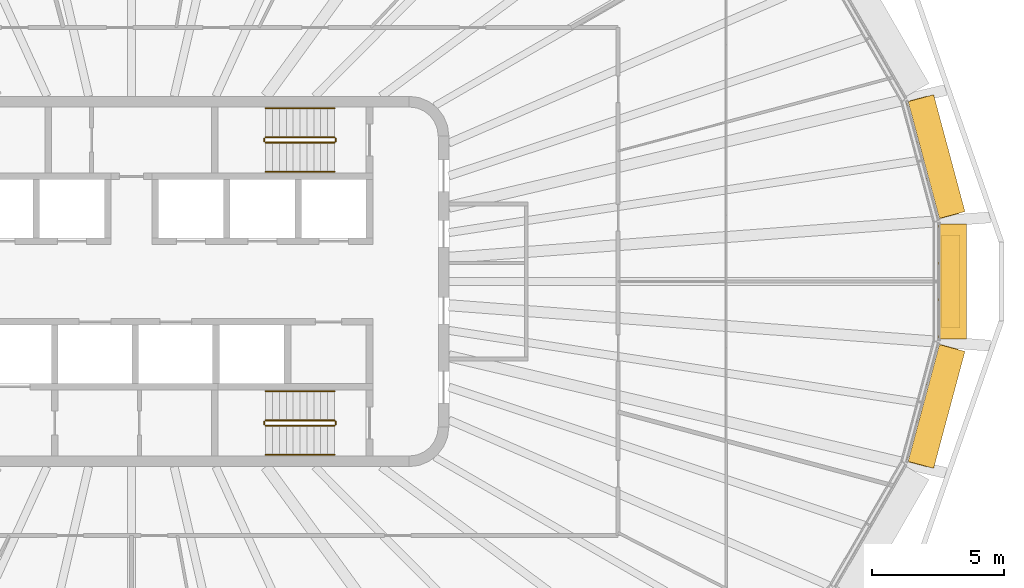
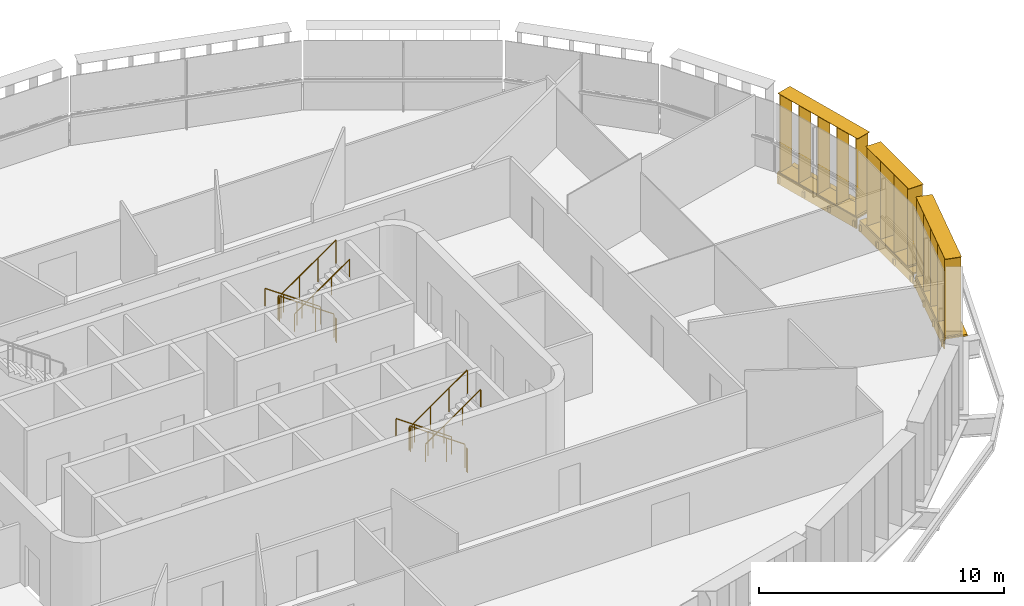
# One storey, part 19 of 20: 12 railings, 6 shading devices.
"""IFC4 building model written with IfcOpenShell, lengths in metres."""

import ifcopenshell
import ifcopenshell.guid

model = None  # the IFC model being written
_history = None  # IfcOwnerHistory: only IFC2X3 demands one
_inside = {}  # id of a spatial element -> (the spatial element, [elements in it])
_under = {}  # id of a project, library or spatial element -> (it, [spatial elements below it])
_declared = {}  # id of a project -> (the project, [libraries it declares])
_typed = {}  # id of a type object -> (the type object, [elements of that type])
_made_of = {}  # id of a material, layer set ... -> (it, [elements and type objects made of it])


def new_model(schema):
    """Start an empty IFC model of exactly this schema.

    Asked for "IFC4X3", IfcOpenShell would pick the latest addendum, in which some entities
    have other attributes; the version numbers below select the first issue.
    IFC2X3 requires an IfcOwnerHistory on every rooted entity: one is made here for all.
    """
    global model, _history
    if schema == "IFC4X3":
        model = ifcopenshell.file(schema_version=(4, 3, 0, 0))
    else:
        model = ifcopenshell.file(schema=schema)
    _inside.clear()
    _under.clear()
    _declared.clear()
    _typed.clear()
    _made_of.clear()
    _history = None
    if model.schema == "IFC2X3":
        org = make("IfcOrganization", Name="unknown")
        user = make(
            "IfcPersonAndOrganization",
            ThePerson=make("IfcPerson", FamilyName="unknown"),
            TheOrganization=org,
        )
        app = make(
            "IfcApplication",
            ApplicationDeveloper=org,
            Version="unknown",
            ApplicationFullName="unknown",
            ApplicationIdentifier="unknown",
        )
        _history = make(
            "IfcOwnerHistory",
            OwningUser=user,
            OwningApplication=app,
            ChangeAction="ADDED",
            CreationDate=0,
        )
    return model


def make(cls, **values):
    """One entity of the class cls with the attributes given. An attribute that is None is left unset."""
    return model.create_entity(
        cls, **{name: value for name, value in values.items() if value is not None}
    )


def rooted(cls, **values):
    """An entity with a GlobalId (a new one), such as an element, a storey or a relation."""
    return make(cls, GlobalId=ifcopenshell.guid.new(), OwnerHistory=_history, **values)


def si_unit(unit_type, name, prefix=None):
    """IfcSIUnit, for example si_unit("LENGTHUNIT", "METRE", prefix="MILLI")."""
    return make("IfcSIUnit", UnitType=unit_type, Prefix=prefix, Name=name)


def assignment(units):
    """IfcUnitAssignment: the units of a project."""
    return None if units is None else make("IfcUnitAssignment", Units=units)


def point(xyz):
    """IfcCartesianPoint."""
    return None if xyz is None else make("IfcCartesianPoint", Coordinates=xyz)


def direction(xyz):
    """IfcDirection."""
    return None if xyz is None else make("IfcDirection", DirectionRatios=xyz)


def frame(location, z_axis=None, x_axis=None):
    """IfcAxis2Placement3D, a coordinate frame: its origin and axes. An axis left out is left unset."""
    return make(
        "IfcAxis2Placement3D",
        Location=point(location),
        Axis=direction(z_axis),
        RefDirection=direction(x_axis),
    )


def frame_2d(location, x_axis=None):
    """IfcAxis2Placement2D, a coordinate frame in the plane: its origin and x axis."""
    return make(
        "IfcAxis2Placement2D", Location=point(location), RefDirection=direction(x_axis)
    )


def origin():
    """The frame at (0, 0, 0) with its axes left unset."""
    return frame((0.0, 0.0, 0.0))


def origin_2d():
    """The frame at (0, 0) in the plane with its x axis left unset."""
    return frame_2d((0.0, 0.0))


def place(relative_to, where):
    """IfcLocalPlacement: puts the frame where relative to a parent placement (None: the world)."""
    return make(
        "IfcLocalPlacement", PlacementRelTo=relative_to, RelativePlacement=where
    )


def context(
    kind, dimensions, precision=None, world=None, true_north=None, identifier=None
):
    """IfcGeometricRepresentationContext, for example the 3D "Model" context."""
    return make(
        "IfcGeometricRepresentationContext",
        ContextIdentifier=identifier,
        ContextType=kind,
        CoordinateSpaceDimension=dimensions,
        Precision=precision,
        WorldCoordinateSystem=world,
        TrueNorth=true_north,
    )


def subcontext(parent, identifier, kind, view, scale=None):
    """IfcGeometricRepresentationSubContext, for example "Body" below "Model"."""
    return make(
        "IfcGeometricRepresentationSubContext",
        ContextIdentifier=identifier,
        ContextType=kind,
        ParentContext=parent,
        TargetScale=scale,
        TargetView=view,
    )


def project(units=None, contexts=None):
    """IfcProject with its units and contexts."""
    return rooted(
        "IfcProject",
        Name="project",
        RepresentationContexts=contexts,
        UnitsInContext=assignment(units),
    )


def spatial(cls, under=None, at=None, **own):
    """A site, building, storey or space (cls), placed at a placement, below another one or the project."""
    s = rooted(cls, ObjectPlacement=at, **own)
    if under is not None:
        _under.setdefault(under.id(), (under, []))[1].append(s)
    return s


def profile(cls, at=None, kind="AREA", **sizes):
    """A parametric profile (cls). Its sizes go by their IFC names, for example OverallWidth=200.0."""
    return make(cls, ProfileType=kind, Position=at, **sizes)


def rectangle(**sizes):
    """IfcRectangleProfileDef."""
    return profile("IfcRectangleProfileDef", **sizes)


def circle(**sizes):
    """IfcCircleProfileDef."""
    return profile("IfcCircleProfileDef", **sizes)


def extrude(swept, where, along, depth):
    """IfcExtrudedAreaSolid: the profile swept, set in the frame where, extruded along a direction by depth."""
    return make(
        "IfcExtrudedAreaSolid",
        SweptArea=swept,
        Position=where,
        ExtrudedDirection=direction(along),
        Depth=depth,
    )


def shape(context_of_items, identifier, shape_type, items):
    """IfcShapeRepresentation: the items that make up one representation, for example the "Body"."""
    return make(
        "IfcShapeRepresentation",
        ContextOfItems=context_of_items,
        RepresentationIdentifier=identifier,
        RepresentationType=shape_type,
        Items=items,
    )


def material(Name=None, Category=None):
    """IfcMaterial."""
    return make("IfcMaterial", Name=Name, Category=Category)


def made_of(thing, what):
    """Note that an element or type object is made of a material, layer set ...; save() writes the relation."""
    if what is not None:
        _made_of.setdefault(what.id(), (what, []))[1].append(thing)
    return thing


def type_object(cls, material=None, **own):
    """A type object (cls), such as IfcWallType, which elements share."""
    return made_of(rooted(cls, **own), material)


def element(
    cls,
    number,
    at=None,
    inside=None,
    cuts=None,
    type_object=None,
    material=None,
    context=None,
    identifier="Body",
    shape_type=None,
    held_by="IfcProductDefinitionShape",
    body=None,
    shapes=None,
    **own,
):
    """One element of the class cls, such as IfcWall. Its Tag is "e" and its number.

    at: its placement. inside: the storey or other place that contains it. cuts: it is an
    opening in that element (IfcRelVoidsElement). A single representation is given by context,
    identifier, shape_type and body (its items); several are given by shapes. held_by: the class
    of the entity that holds the representations. save() writes the other relations.
    """
    e = rooted(cls, Tag="e%d" % number, ObjectPlacement=at, **own)
    if body is not None:
        shapes = [shape(context, identifier, shape_type, body)]
    if shapes is not None:
        e.Representation = make(held_by, Representations=shapes)
    if inside is not None:
        _inside.setdefault(inside.id(), (inside, []))[1].append(e)
    if cuts is not None:
        rooted(
            "IfcRelVoidsElement", RelatingBuildingElement=cuts, RelatedOpeningElement=e
        )
    if type_object is not None:
        _typed.setdefault(type_object.id(), (type_object, []))[1].append(e)
    return made_of(e, material)


def aggregate(whole, parts):
    """IfcRelAggregates: a whole, such as a stair, and the parts it consists of."""
    return rooted("IfcRelAggregates", RelatingObject=whole, RelatedObjects=parts)


def save(model, path):
    """Write the relations noted so far, then the file.

    IfcRelAggregates (storeys below a building ...), IfcRelContainedInSpatialStructure (elements
    in a storey), IfcRelDefinesByType, IfcRelAssociatesMaterial and IfcRelDeclares: one each for
    every whole, place, type object, material and project.
    """
    for whole, parts in _under.values():
        aggregate(whole, parts)
    for where, things in _inside.values():
        rooted(
            "IfcRelContainedInSpatialStructure",
            RelatedElements=things,
            RelatingStructure=where,
        )
    for kind, things in _typed.values():
        rooted("IfcRelDefinesByType", RelatedObjects=things, RelatingType=kind)
    for what, things in _made_of.values():
        rooted("IfcRelAssociatesMaterial", RelatedObjects=things, RelatingMaterial=what)
    for by, libraries in _declared.values():
        rooted("IfcRelDeclares", RelatingContext=by, RelatedDefinitions=libraries)
    model.write(path)


model = new_model("IFC4")

# Units and contexts
model_context = context("Model", 3, precision=1e-05, world=origin(), true_north=direction((0.0, 1.0)))
body_context = subcontext(model_context, "Body", "Model", "MODEL_VIEW")
ifc_project = project(units=[si_unit("LENGTHUNIT", "METRE"), si_unit("AREAUNIT", "SQUARE_METRE"), si_unit("VOLUMEUNIT", "CUBIC_METRE"), si_unit("PLANEANGLEUNIT", "RADIAN"), si_unit("MASSUNIT", "GRAM", prefix="KILO")], contexts=[model_context])

# Site, building, storey
site_placement = place(None, origin())
site = spatial("IfcSite", under=ifc_project, at=site_placement, CompositionType="ELEMENT")
building_placement = place(site_placement, origin())
building = spatial("IfcBuilding", under=site, at=building_placement, Name="Sahrelin Media Tower", CompositionType="ELEMENT")
storey_placement = place(building_placement, frame((0.0, 0.0, 221.60009765625)))
storey = spatial("IfcBuildingStorey", under=building, at=storey_placement, Name="L47", CompositionType="ELEMENT", Elevation=221.60009765625)

# Shading devices
ifc_material_1 = material(Name="Champagne anodised aluminium 6063-T6", Category="aluminium")
shading_device_type_1 = type_object("IfcShadingDeviceType", Name="Fin cassette", PredefinedType="USERDEFINED", material=ifc_material_1)
placement_1 = place(storey_placement, frame((30.548095703125, 0.0, 0.0), z_axis=(0.0, 0.0, 1.0), x_axis=(0.0, -1.0, 0.0)))
element("IfcShadingDevice", 1, at=placement_1, inside=storey, type_object=shading_device_type_1, Name="L47:FIN:L47-00", ObjectType="FIN", PredefinedType="USERDEFINED", context=body_context, shape_type="SweptSolid", body=[
    extrude(rectangle(XDim=3.5, YDim=0.699951171875, at=origin_2d()), frame((0.0, 0.419921875, 0.0)), (0.0, 0.0, 1.0), 0.02001953125),
    extrude(rectangle(XDim=3.5, YDim=0.699951171875, at=origin_2d()), frame((0.0, 0.419921875, 3.89990234375)), (0.0, 0.0, 1.0), 0.02001953125),
    extrude(rectangle(XDim=0.02001953125, YDim=0.699951171875, at=origin_2d()), frame((-1.64990234375, 0.419921875, 0.010009765625), z_axis=(0.0, 0.0, 1.0), x_axis=(1.0, 0.0, 0.0)), (0.0, 0.0, 1.0), 3.89990234375),
    extrude(rectangle(XDim=0.02001953125, YDim=0.699951171875, at=origin_2d()), frame((-0.550048828125, 0.419921875, 0.010009765625), z_axis=(0.0, 0.0, 1.0), x_axis=(1.0, 0.0, 0.0)), (0.0, 0.0, 1.0), 3.89990234375),
    extrude(rectangle(XDim=0.02001953125, YDim=0.699951171875, at=origin_2d()), frame((0.550048828125, 0.419921875, 0.010009765625), z_axis=(0.0, 0.0, 1.0), x_axis=(1.0, 0.0, 0.0)), (0.0, 0.0, 1.0), 3.89990234375),
    extrude(rectangle(XDim=0.02001953125, YDim=0.699951171875, at=origin_2d()), frame((1.64990234375, 0.419921875, 0.010009765625), z_axis=(0.0, 0.0, 1.0), x_axis=(1.0, 0.0, 0.0)), (0.0, 0.0, 1.0), 3.89990234375),
])
placement_2 = place(storey_placement, frame((29.930419921875, 4.587646484375, 0.0), z_axis=(0.0, 0.0, 1.0), x_axis=(0.258807731996, -0.965928857556, 0.0)))
element("IfcShadingDevice", 2, at=placement_2, inside=storey, type_object=shading_device_type_1, Name="L47:FIN:L47-01", ObjectType="FIN", PredefinedType="USERDEFINED", context=body_context, shape_type="SweptSolid", body=[
    extrude(rectangle(XDim=4.60009765625, YDim=0.699951171875, at=origin_2d()), frame((0.0, 0.419921875, 0.0)), (0.0, 0.0, 1.0), 0.02001953125),
    extrude(rectangle(XDim=4.60009765625, YDim=0.699951171875, at=origin_2d()), frame((0.0, 0.419921875, 3.89990234375)), (0.0, 0.0, 1.0), 0.02001953125),
    extrude(rectangle(XDim=0.02001953125, YDim=0.699951171875, at=origin_2d()), frame((-2.199951171875, 0.419921875, 0.010009765625), z_axis=(0.0, 0.0, 1.0), x_axis=(1.0, 0.0, 0.0)), (0.0, 0.0, 1.0), 3.89990234375),
    extrude(rectangle(XDim=0.02001953125, YDim=0.699951171875, at=origin_2d()), frame((-1.10009765625, 0.419921875, 0.010009765625), z_axis=(0.0, 0.0, 1.0), x_axis=(1.0, 0.0, 0.0)), (0.0, 0.0, 1.0), 3.89990234375),
    extrude(rectangle(XDim=0.02001953125, YDim=0.699951171875, at=origin_2d()), frame((0.0, 0.419921875, 0.010009765625), z_axis=(0.0, 0.0, 1.0), x_axis=(1.0, 0.0, 0.0)), (0.0, 0.0, 1.0), 3.89990234375),
    extrude(rectangle(XDim=0.02001953125, YDim=0.699951171875, at=origin_2d()), frame((1.10009765625, 0.419921875, 0.010009765625), z_axis=(0.0, 0.0, 1.0), x_axis=(1.0, 0.0, 0.0)), (0.0, 0.0, 1.0), 3.89990234375),
    extrude(rectangle(XDim=0.02001953125, YDim=0.699951171875, at=origin_2d()), frame((2.199951171875, 0.419921875, 0.010009765625), z_axis=(0.0, 0.0, 1.0), x_axis=(1.0, 0.0, 0.0)), (0.0, 0.0, 1.0), 3.89990234375),
])
placement_3 = place(storey_placement, frame((29.930419921875, -4.587646484375, 0.0), z_axis=(0.0, 0.0, 1.0), x_axis=(-0.258807731996, -0.965928857556, 0.0)))
element("IfcShadingDevice", 3, at=placement_3, inside=storey, type_object=shading_device_type_1, Name="L47:FIN:L47-23", ObjectType="FIN", PredefinedType="USERDEFINED", context=body_context, shape_type="SweptSolid", body=[
    extrude(rectangle(XDim=4.60009765625, YDim=0.699951171875, at=origin_2d()), frame((0.0, 0.419921875, 0.0)), (0.0, 0.0, 1.0), 0.02001953125),
    extrude(rectangle(XDim=4.60009765625, YDim=0.699951171875, at=origin_2d()), frame((0.0, 0.419921875, 3.89990234375)), (0.0, 0.0, 1.0), 0.02001953125),
    extrude(rectangle(XDim=0.02001953125, YDim=0.699951171875, at=origin_2d()), frame((-2.199951171875, 0.419921875, 0.010009765625), z_axis=(0.0, 0.0, 1.0), x_axis=(1.0, 0.0, 0.0)), (0.0, 0.0, 1.0), 3.89990234375),
    extrude(rectangle(XDim=0.02001953125, YDim=0.699951171875, at=origin_2d()), frame((-1.10009765625, 0.419921875, 0.010009765625), z_axis=(0.0, 0.0, 1.0), x_axis=(1.0, 0.0, 0.0)), (0.0, 0.0, 1.0), 3.89990234375),
    extrude(rectangle(XDim=0.02001953125, YDim=0.699951171875, at=origin_2d()), frame((0.0, 0.419921875, 0.010009765625), z_axis=(0.0, 0.0, 1.0), x_axis=(1.0, 0.0, 0.0)), (0.0, 0.0, 1.0), 3.89990234375),
    extrude(rectangle(XDim=0.02001953125, YDim=0.699951171875, at=origin_2d()), frame((1.10009765625, 0.419921875, 0.010009765625), z_axis=(0.0, 0.0, 1.0), x_axis=(1.0, 0.0, 0.0)), (0.0, 0.0, 1.0), 3.89990234375),
    extrude(rectangle(XDim=0.02001953125, YDim=0.699951171875, at=origin_2d()), frame((2.199951171875, 0.419921875, 0.010009765625), z_axis=(0.0, 0.0, 1.0), x_axis=(1.0, 0.0, 0.0)), (0.0, 0.0, 1.0), 3.89990234375),
])

# Railings
ifc_material_2 = material(Name="Steel S355", Category="steel")
railing_type_1 = type_object("IfcRailingType", Name="Stair guard 1200", PredefinedType="GUARDRAIL", material=ifc_material_2)
railing_1_placement = place(storey_placement, frame((7.675048828125, 5.449951171875, 0.181640625)))
element("IfcRailing", 4, at=railing_1_placement, inside=storey, type_object=railing_type_1, Name="L47 ST3 stair guard 1", PredefinedType="GUARDRAIL", context=body_context, shape_type="SweptSolid", body=[
    extrude(circle(Radius=0.02392578125, at=origin_2d()), frame((0.0, 0.0, 1.17578125), z_axis=(-0.819484887739, 0.0, 0.573100792852), x_axis=(0.0, -1.0, 0.0)), (0.0, 0.0, 1.0), 3.1728515625),
    extrude(circle(Radius=0.02099609375, at=origin_2d()), origin(), (0.0, 0.0, 1.0), 1.15185546875),
    extrude(circle(Radius=0.02099609375, at=origin_2d()), frame((-0.86669921875, 0.0, 0.606201171875)), (0.0, 0.0, 1.0), 1.15185546875),
    extrude(circle(Radius=0.02099609375, at=origin_2d()), frame((-1.7333984375, 0.0, 1.212158203125)), (0.0, 0.0, 1.0), 1.15185546875),
    extrude(circle(Radius=0.02099609375, at=origin_2d()), frame((-2.60009765625, 0.0, 1.818359375)), (0.0, 0.0, 1.0), 1.15185546875),
])
railing_2_placement = place(storey_placement, frame((5.02490234375, 5.39990234375, 2.0)))
element("IfcRailing", 5, at=railing_2_placement, inside=storey, type_object=railing_type_1, Name="L47 ST3 stair guard 2", PredefinedType="GUARDRAIL", context=body_context, shape_type="SweptSolid", body=[
    extrude(circle(Radius=0.02392578125, at=origin_2d()), frame((0.0, 0.0, 1.17578125), z_axis=(0.0, -1.0, 0.0), x_axis=(1.0, 0.0, 0.0)), (0.0, 0.0, 1.0), 0.099853515625),
    extrude(circle(Radius=0.02099609375, at=origin_2d()), origin(), (0.0, 0.0, 1.0), 1.15185546875),
    extrude(circle(Radius=0.02099609375, at=origin_2d()), frame((0.0, -0.099853515625, 0.0)), (0.0, 0.0, 1.0), 1.15185546875),
])
railing_3_placement = place(storey_placement, frame((5.074951171875, 5.25, 2.181640625)))
element("IfcRailing", 6, at=railing_3_placement, inside=storey, type_object=railing_type_1, Name="L47 ST3 stair guard 3", PredefinedType="GUARDRAIL", context=body_context, shape_type="SweptSolid", body=[
    extrude(circle(Radius=0.02392578125, at=origin_2d()), frame((0.0, 0.0, 1.17578125), z_axis=(0.819484887739, 0.0, 0.573100792852), x_axis=(0.0, 1.0, 0.0)), (0.0, 0.0, 1.0), 3.1728515625),
    extrude(circle(Radius=0.02099609375, at=origin_2d()), origin(), (0.0, 0.0, 1.0), 1.15185546875),
    extrude(circle(Radius=0.02099609375, at=origin_2d()), frame((0.86669921875, 0.0, 0.606201171875)), (0.0, 0.0, 1.0), 1.15185546875),
    extrude(circle(Radius=0.02099609375, at=origin_2d()), frame((1.7333984375, 0.0, 1.212158203125)), (0.0, 0.0, 1.0), 1.15185546875),
    extrude(circle(Radius=0.02099609375, at=origin_2d()), frame((2.60009765625, 0.0, 1.818359375)), (0.0, 0.0, 1.0), 1.15185546875),
])
railing_4_placement = place(storey_placement, frame((7.72509765625, 5.39990234375, 0.0)))
element("IfcRailing", 7, at=railing_4_placement, inside=storey, type_object=railing_type_1, Name="L47 ST3 stair guard 4", PredefinedType="GUARDRAIL", context=body_context, shape_type="SweptSolid", body=[
    extrude(circle(Radius=0.02392578125, at=origin_2d()), frame((0.0, 0.0, 1.17578125), z_axis=(0.0, -1.0, 0.0), x_axis=(1.0, 0.0, 0.0)), (0.0, 0.0, 1.0), 0.099853515625),
    extrude(circle(Radius=0.02099609375, at=origin_2d()), origin(), (0.0, 0.0, 1.0), 1.15185546875),
    extrude(circle(Radius=0.02099609375, at=origin_2d()), frame((0.0, -0.099853515625, 0.0)), (0.0, 0.0, 1.0), 1.15185546875),
])
railing_5_placement = place(storey_placement, frame((7.675048828125, -5.25, 0.181640625)))
element("IfcRailing", 8, at=railing_5_placement, inside=storey, type_object=railing_type_1, Name="L47 ST2 stair guard 1", PredefinedType="GUARDRAIL", context=body_context, shape_type="SweptSolid", body=[
    extrude(circle(Radius=0.02392578125, at=origin_2d()), frame((0.0, 0.0, 1.17578125), z_axis=(-0.819484887739, 0.0, 0.573100792852), x_axis=(0.0, -1.0, 0.0)), (0.0, 0.0, 1.0), 3.1728515625),
    extrude(circle(Radius=0.02099609375, at=origin_2d()), origin(), (0.0, 0.0, 1.0), 1.15185546875),
    extrude(circle(Radius=0.02099609375, at=origin_2d()), frame((-0.86669921875, 0.0, 0.606201171875)), (0.0, 0.0, 1.0), 1.15185546875),
    extrude(circle(Radius=0.02099609375, at=origin_2d()), frame((-1.7333984375, 0.0, 1.212158203125)), (0.0, 0.0, 1.0), 1.15185546875),
    extrude(circle(Radius=0.02099609375, at=origin_2d()), frame((-2.60009765625, 0.0, 1.818359375)), (0.0, 0.0, 1.0), 1.15185546875),
])
railing_6_placement = place(storey_placement, frame((5.02490234375, -5.300048828125, 2.0)))
element("IfcRailing", 9, at=railing_6_placement, inside=storey, type_object=railing_type_1, Name="L47 ST2 stair guard 2", PredefinedType="GUARDRAIL", context=body_context, shape_type="SweptSolid", body=[
    extrude(circle(Radius=0.02392578125, at=origin_2d()), frame((0.0, 0.0, 1.17578125), z_axis=(0.0, -1.0, 0.0), x_axis=(1.0, 0.0, 0.0)), (0.0, 0.0, 1.0), 0.099853515625),
    extrude(circle(Radius=0.02099609375, at=origin_2d()), origin(), (0.0, 0.0, 1.0), 1.15185546875),
    extrude(circle(Radius=0.02099609375, at=origin_2d()), frame((0.0, -0.099853515625, 0.0)), (0.0, 0.0, 1.0), 1.15185546875),
])
railing_7_placement = place(storey_placement, frame((5.074951171875, -5.449951171875, 2.181640625)))
element("IfcRailing", 10, at=railing_7_placement, inside=storey, type_object=railing_type_1, Name="L47 ST2 stair guard 3", PredefinedType="GUARDRAIL", context=body_context, shape_type="SweptSolid", body=[
    extrude(circle(Radius=0.02392578125, at=origin_2d()), frame((0.0, 0.0, 1.17578125), z_axis=(0.819484887739, 0.0, 0.573100792852), x_axis=(0.0, 1.0, 0.0)), (0.0, 0.0, 1.0), 3.1728515625),
    extrude(circle(Radius=0.02099609375, at=origin_2d()), origin(), (0.0, 0.0, 1.0), 1.15185546875),
    extrude(circle(Radius=0.02099609375, at=origin_2d()), frame((0.86669921875, 0.0, 0.606201171875)), (0.0, 0.0, 1.0), 1.15185546875),
    extrude(circle(Radius=0.02099609375, at=origin_2d()), frame((1.7333984375, 0.0, 1.212158203125)), (0.0, 0.0, 1.0), 1.15185546875),
    extrude(circle(Radius=0.02099609375, at=origin_2d()), frame((2.60009765625, 0.0, 1.818359375)), (0.0, 0.0, 1.0), 1.15185546875),
])
railing_8_placement = place(storey_placement, frame((7.72509765625, -5.300048828125, 0.0)))
element("IfcRailing", 11, at=railing_8_placement, inside=storey, type_object=railing_type_1, Name="L47 ST2 stair guard 4", PredefinedType="GUARDRAIL", context=body_context, shape_type="SweptSolid", body=[
    extrude(circle(Radius=0.02392578125, at=origin_2d()), frame((0.0, 0.0, 1.17578125), z_axis=(0.0, -1.0, 0.0), x_axis=(1.0, 0.0, 0.0)), (0.0, 0.0, 1.0), 0.099853515625),
    extrude(circle(Radius=0.02099609375, at=origin_2d()), origin(), (0.0, 0.0, 1.0), 1.15185546875),
    extrude(circle(Radius=0.02099609375, at=origin_2d()), frame((0.0, -0.099853515625, 0.0)), (0.0, 0.0, 1.0), 1.15185546875),
])
railing_type_2 = type_object("IfcRailingType", Name="Stair handrail 900", PredefinedType="HANDRAIL", material=ifc_material_2)
railing_9_placement = place(storey_placement, frame((7.675048828125, 6.550048828125, 0.181640625)))
element("IfcRailing", 12, at=railing_9_placement, inside=storey, type_object=railing_type_2, Name="L47 ST3 stair handrail 1", PredefinedType="HANDRAIL", context=body_context, shape_type="SweptSolid", body=[
    extrude(circle(Radius=0.02392578125, at=origin_2d()), frame((0.0, 0.0, 0.8759765625), z_axis=(-0.819484887739, 0.0, 0.573100792852), x_axis=(0.0, -1.0, 0.0)), (0.0, 0.0, 1.0), 3.1728515625),
    extrude(circle(Radius=0.02099609375, at=origin_2d()), origin(), (0.0, 0.0, 1.0), 0.851806640625),
    extrude(circle(Radius=0.02099609375, at=origin_2d()), frame((-0.86669921875, 0.0, 0.606201171875)), (0.0, 0.0, 1.0), 0.851806640625),
    extrude(circle(Radius=0.02099609375, at=origin_2d()), frame((-1.7333984375, 0.0, 1.212158203125)), (0.0, 0.0, 1.0), 0.851806640625),
    extrude(circle(Radius=0.02099609375, at=origin_2d()), frame((-2.60009765625, 0.0, 1.818359375)), (0.0, 0.0, 1.0), 0.851806640625),
])
railing_10_placement = place(storey_placement, frame((5.074951171875, 4.14990234375, 2.181640625)))
element("IfcRailing", 13, at=railing_10_placement, inside=storey, type_object=railing_type_2, Name="L47 ST3 stair handrail 2", PredefinedType="HANDRAIL", context=body_context, shape_type="SweptSolid", body=[
    extrude(circle(Radius=0.02392578125, at=origin_2d()), frame((0.0, 0.0, 0.8759765625), z_axis=(0.819484887739, 0.0, 0.573100792852), x_axis=(0.0, 1.0, 0.0)), (0.0, 0.0, 1.0), 3.1728515625),
    extrude(circle(Radius=0.02099609375, at=origin_2d()), origin(), (0.0, 0.0, 1.0), 0.851806640625),
    extrude(circle(Radius=0.02099609375, at=origin_2d()), frame((0.86669921875, 0.0, 0.606201171875)), (0.0, 0.0, 1.0), 0.851806640625),
    extrude(circle(Radius=0.02099609375, at=origin_2d()), frame((1.7333984375, 0.0, 1.212158203125)), (0.0, 0.0, 1.0), 0.851806640625),
    extrude(circle(Radius=0.02099609375, at=origin_2d()), frame((2.60009765625, 0.0, 1.818359375)), (0.0, 0.0, 1.0), 0.851806640625),
])
railing_11_placement = place(storey_placement, frame((7.675048828125, -4.14990234375, 0.181640625)))
element("IfcRailing", 14, at=railing_11_placement, inside=storey, type_object=railing_type_2, Name="L47 ST2 stair handrail 1", PredefinedType="HANDRAIL", context=body_context, shape_type="SweptSolid", body=[
    extrude(circle(Radius=0.02392578125, at=origin_2d()), frame((0.0, 0.0, 0.8759765625), z_axis=(-0.819484887739, 0.0, 0.573100792852), x_axis=(0.0, -1.0, 0.0)), (0.0, 0.0, 1.0), 3.1728515625),
    extrude(circle(Radius=0.02099609375, at=origin_2d()), origin(), (0.0, 0.0, 1.0), 0.851806640625),
    extrude(circle(Radius=0.02099609375, at=origin_2d()), frame((-0.86669921875, 0.0, 0.606201171875)), (0.0, 0.0, 1.0), 0.851806640625),
    extrude(circle(Radius=0.02099609375, at=origin_2d()), frame((-1.7333984375, 0.0, 1.212158203125)), (0.0, 0.0, 1.0), 0.851806640625),
    extrude(circle(Radius=0.02099609375, at=origin_2d()), frame((-2.60009765625, 0.0, 1.818359375)), (0.0, 0.0, 1.0), 0.851806640625),
])
railing_12_placement = place(storey_placement, frame((5.074951171875, -6.550048828125, 2.181640625)))
element("IfcRailing", 15, at=railing_12_placement, inside=storey, type_object=railing_type_2, Name="L47 ST2 stair handrail 2", PredefinedType="HANDRAIL", context=body_context, shape_type="SweptSolid", body=[
    extrude(circle(Radius=0.02392578125, at=origin_2d()), frame((0.0, 0.0, 0.8759765625), z_axis=(0.819484887739, 0.0, 0.573100792852), x_axis=(0.0, 1.0, 0.0)), (0.0, 0.0, 1.0), 3.1728515625),
    extrude(circle(Radius=0.02099609375, at=origin_2d()), origin(), (0.0, 0.0, 1.0), 0.851806640625),
    extrude(circle(Radius=0.02099609375, at=origin_2d()), frame((0.86669921875, 0.0, 0.606201171875)), (0.0, 0.0, 1.0), 0.851806640625),
    extrude(circle(Radius=0.02099609375, at=origin_2d()), frame((1.7333984375, 0.0, 1.212158203125)), (0.0, 0.0, 1.0), 0.851806640625),
    extrude(circle(Radius=0.02099609375, at=origin_2d()), frame((2.60009765625, 0.0, 1.818359375)), (0.0, 0.0, 1.0), 0.851806640625),
])

# Shading devices
shading_device_type_2 = type_object("IfcShadingDeviceType", Name="Sunshade band", PredefinedType="USERDEFINED", material=ifc_material_1)
element("IfcShadingDevice", 16, at=placement_1, inside=storey, type_object=shading_device_type_2, Name="L47:SUN:L47-00", ObjectType="SUNSHADE", PredefinedType="USERDEFINED", context=body_context, shape_type="SweptSolid", body=[
    extrude(rectangle(XDim=4.364501953125, YDim=0.050048828125, at=origin_2d()), frame((0.0, 0.044921875, -0.55126953125)), (0.0, 0.0, 1.0), 0.471435546875),
    extrude(rectangle(XDim=4.364501953125, YDim=1.0, at=origin_2d()), frame((0.0, 0.52001953125, -0.080078125)), (0.0, 0.0, 1.0), 0.080078125),
    extrude(rectangle(XDim=0.10009765625, YDim=0.074951171875, at=origin_2d()), frame((-2.082275390625, -0.017578125, -0.47021484375)), (0.0, 0.0, 1.0), 0.300048828125),
    extrude(rectangle(XDim=0.10009765625, YDim=0.074951171875, at=origin_2d()), frame((-0.694091796875, -0.017578125, -0.47021484375)), (0.0, 0.0, 1.0), 0.300048828125),
    extrude(rectangle(XDim=0.10009765625, YDim=0.074951171875, at=origin_2d()), frame((0.694091796875, -0.017578125, -0.47021484375)), (0.0, 0.0, 1.0), 0.300048828125),
    extrude(rectangle(XDim=0.10009765625, YDim=0.074951171875, at=origin_2d()), frame((2.082275390625, -0.017578125, -0.47021484375)), (0.0, 0.0, 1.0), 0.300048828125),
])
element("IfcShadingDevice", 17, at=placement_2, inside=storey, type_object=shading_device_type_2, Name="L47:SUN:L47-01", ObjectType="SUNSHADE", PredefinedType="USERDEFINED", context=body_context, shape_type="SweptSolid", body=[
    extrude(rectangle(XDim=4.573486328125, YDim=0.050048828125, at=origin_2d()), frame((0.0, 0.044921875, -0.55126953125)), (0.0, 0.0, 1.0), 0.471435546875),
    extrude(rectangle(XDim=4.573486328125, YDim=1.0, at=origin_2d()), frame((0.0, 0.52001953125, -0.080078125)), (0.0, 0.0, 1.0), 0.080078125),
    extrude(rectangle(XDim=0.10009765625, YDim=0.074951171875, at=origin_2d()), frame((-2.186767578125, -0.017578125, -0.47021484375)), (0.0, 0.0, 1.0), 0.300048828125),
    extrude(rectangle(XDim=0.10009765625, YDim=0.074951171875, at=origin_2d()), frame((-0.72900390625, -0.017578125, -0.47021484375)), (0.0, 0.0, 1.0), 0.300048828125),
    extrude(rectangle(XDim=0.10009765625, YDim=0.074951171875, at=origin_2d()), frame((0.72900390625, -0.017578125, -0.47021484375)), (0.0, 0.0, 1.0), 0.300048828125),
    extrude(rectangle(XDim=0.10009765625, YDim=0.074951171875, at=origin_2d()), frame((2.186767578125, -0.017578125, -0.47021484375)), (0.0, 0.0, 1.0), 0.300048828125),
])
element("IfcShadingDevice", 18, at=placement_3, inside=storey, type_object=shading_device_type_2, Name="L47:SUN:L47-23", ObjectType="SUNSHADE", PredefinedType="USERDEFINED", context=body_context, shape_type="SweptSolid", body=[
    extrude(rectangle(XDim=4.573486328125, YDim=0.050048828125, at=origin_2d()), frame((0.0, 0.044921875, -0.55126953125)), (0.0, 0.0, 1.0), 0.471435546875),
    extrude(rectangle(XDim=4.573486328125, YDim=1.0, at=origin_2d()), frame((0.0, 0.52001953125, -0.080078125)), (0.0, 0.0, 1.0), 0.080078125),
    extrude(rectangle(XDim=0.10009765625, YDim=0.074951171875, at=origin_2d()), frame((-2.186767578125, -0.017578125, -0.47021484375)), (0.0, 0.0, 1.0), 0.300048828125),
    extrude(rectangle(XDim=0.10009765625, YDim=0.074951171875, at=origin_2d()), frame((-0.72900390625, -0.017578125, -0.47021484375)), (0.0, 0.0, 1.0), 0.300048828125),
    extrude(rectangle(XDim=0.10009765625, YDim=0.074951171875, at=origin_2d()), frame((0.72900390625, -0.017578125, -0.47021484375)), (0.0, 0.0, 1.0), 0.300048828125),
    extrude(rectangle(XDim=0.10009765625, YDim=0.074951171875, at=origin_2d()), frame((2.186767578125, -0.017578125, -0.47021484375)), (0.0, 0.0, 1.0), 0.300048828125),
])

save(model, "model.ifc")
